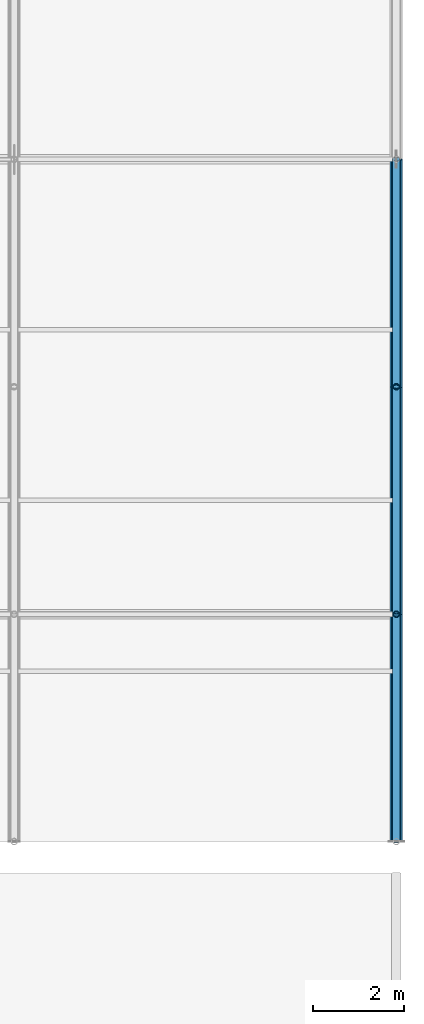
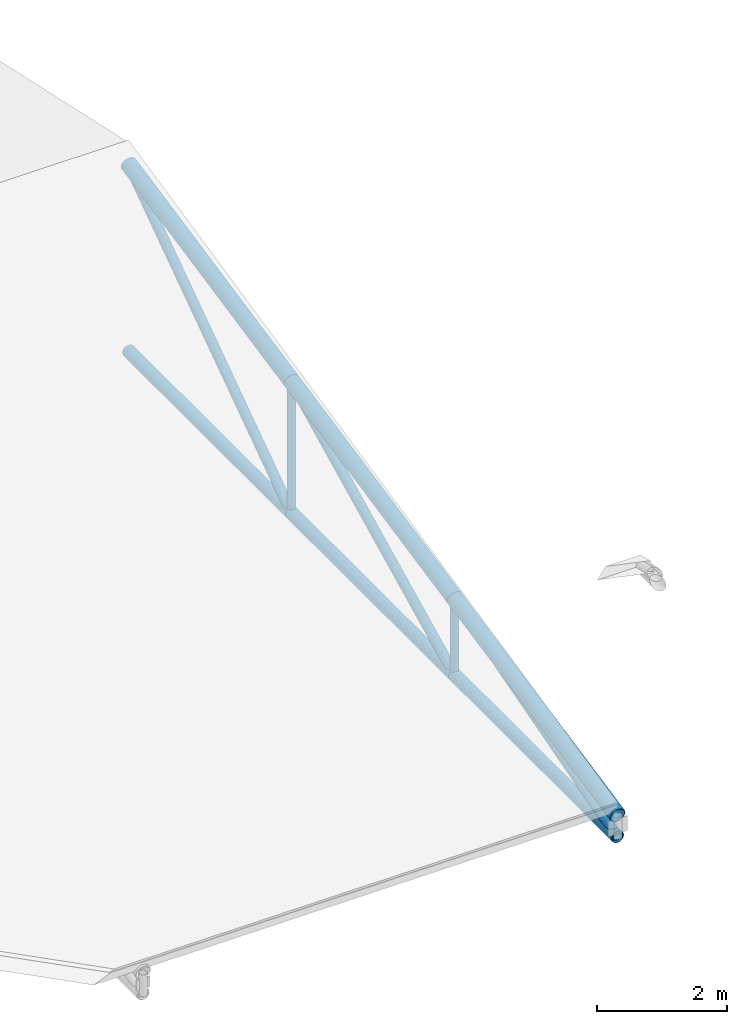
# One storey, part 113 of 194: 11 members.
"""IFC4 building model written with IfcOpenShell, lengths in metres."""

from ifc_helpers import new_model, si_unit, direction, frame, origin, origin_2d, place, context, subcontext, project, spatial, hollow_circle, extrude, material, material_profile, profile_set, type_object, element, save


model = new_model("IFC4")

# Units and contexts
model_context = context("Model", 3, precision=1e-05, world=origin(), true_north=direction((0.0, 1.0)))
body_context = subcontext(model_context, "Body", "Model", "MODEL_VIEW")
ifc_project = project(units=[si_unit("LENGTHUNIT", "METRE"), si_unit("AREAUNIT", "SQUARE_METRE"), si_unit("VOLUMEUNIT", "CUBIC_METRE"), si_unit("PLANEANGLEUNIT", "RADIAN"), si_unit("MASSUNIT", "GRAM", prefix="KILO")], contexts=[model_context])

# Site, building, storey
site_placement = place(None, origin())
site = spatial("IfcSite", under=ifc_project, at=site_placement, CompositionType="ELEMENT")
building_placement = place(site_placement, origin())
building = spatial("IfcBuilding", under=site, at=building_placement, Name="Kazenagashi Tramway Depot", CompositionType="ELEMENT")
storey_placement = place(building_placement, frame((0.0, 0.0, 23.7)))
storey = spatial("IfcBuildingStorey", under=building, at=storey_placement, Name="ROOF", CompositionType="ELEMENT", Elevation=23.7)

# Members
ifc_material = material(Name="Steel STK490", Category="steel")
ifc_material_profile_1 = material_profile(ifc_material, hollow_circle(Radius=0.1337, WallThickness=0.0093, at=origin_2d()), Name="CHS-267.4x9.3")
ifc_profile_set_1 = profile_set([ifc_material_profile_1], Name="Steel STK490")
member_type_1 = type_object("IfcMemberType", Name="TC-01", PredefinedType="CHORD", material=ifc_profile_set_1)
member_1_placement = place(storey_placement, frame((196.0, 70.0, -13.7), z_axis=(0.0, 0.979317999984, 0.202327098797), x_axis=(-1.0, 0.0, 0.0)))
element("IfcMember", 1, at=member_1_placement, inside=storey, type_object=member_type_1, Name="Tubular Space Frame TC-01 MEM-1099", PredefinedType="CHORD", context=body_context, shape_type="SweptSolid", body=[
    extrude(hollow_circle(Radius=0.1337, WallThickness=0.0093, at=origin_2d()), origin(), (0.0, 0.0, 1.0), 5.105594),
])
member_2_placement = place(storey_placement, frame((196.0, 75.0, -12.667), z_axis=(0.0, 0.979279174591, 0.202514933305), x_axis=(-1.0, 0.0, 0.0)))
element("IfcMember", 2, at=member_2_placement, inside=storey, type_object=member_type_1, Name="Tubular Space Frame TC-01 MEM-1102", PredefinedType="CHORD", context=body_context, shape_type="SweptSolid", body=[
    extrude(hollow_circle(Radius=0.1337, WallThickness=0.0093, at=origin_2d()), origin(), (0.0, 0.0, 1.0), 5.105796),
])
member_3_placement = place(storey_placement, frame((196.0, 80.0, -11.633), z_axis=(0.0, 0.979317999984, 0.202327098797), x_axis=(-1.0, 0.0, 0.0)))
element("IfcMember", 3, at=member_3_placement, inside=storey, type_object=member_type_1, Name="Tubular Space Frame TC-01 MEM-1105", PredefinedType="CHORD", context=body_context, shape_type="SweptSolid", body=[
    extrude(hollow_circle(Radius=0.1337, WallThickness=0.0093, at=origin_2d()), origin(), (0.0, 0.0, 1.0), 5.105594),
])
ifc_material_profile_2 = material_profile(ifc_material, hollow_circle(Radius=0.10815, WallThickness=0.0082, at=origin_2d()), Name="CHS-216.3x8.2")
ifc_profile_set_2 = profile_set([ifc_material_profile_2], Name="Steel STK490")
member_type_2 = type_object("IfcMemberType", Name="TC-02", PredefinedType="CHORD", material=ifc_profile_set_2)
for number, where, z_axis, x_axis, name in (
    (4, (196.0, 70.0, -14.1), (0.0, 1.0, 0.0), (-1.0, 0.0, 0.0), "Tubular Space Frame TC-02 MEM-1100"),
    (5, (196.0, 75.0, -14.1), (0.0, 1.0, 0.0), (-1.0, 0.0, 0.0), "Tubular Space Frame TC-02 MEM-1103"),
    (6, (196.0, 80.0, -14.1), (0.0, 1.0, 0.0), (-1.0, 0.0, 0.0), "Tubular Space Frame TC-02 MEM-1106"),
):
    element("IfcMember", number, at=place(storey_placement, frame(where, z_axis=z_axis, x_axis=x_axis)), inside=storey, type_object=member_type_2, Name=name, PredefinedType="CHORD", context=body_context, shape_type="SweptSolid", body=[
        extrude(hollow_circle(Radius=0.10815, WallThickness=0.0082, at=origin_2d()), origin(), (0.0, 0.0, 1.0), 5.0),
    ])
ifc_material_profile_3 = material_profile(ifc_material, hollow_circle(Radius=0.0826, WallThickness=0.0071, at=origin_2d()), Name="CHS-165.2x7.1")
ifc_profile_set_3 = profile_set([ifc_material_profile_3], Name="Steel STK490")
member_type_3 = type_object("IfcMemberType", Name="TS-01", PredefinedType="STRUT", material=ifc_profile_set_3)
member_4_placement = place(storey_placement, frame((196.0, 70.0, -14.1), z_axis=(0.0, 0.961298717795, 0.27550821252), x_axis=(-1.0, 0.0, 0.0)))
element("IfcMember", 7, at=member_4_placement, inside=storey, type_object=member_type_3, Name="Tubular Space Frame TS-01 MEM-1101", PredefinedType="STRUT", context=body_context, shape_type="SweptSolid", body=[
    extrude(hollow_circle(Radius=0.0826, WallThickness=0.0071, at=origin_2d()), origin(), (0.0, 0.0, 1.0), 5.201297),
])
member_5_placement = place(storey_placement, frame((196.0, 75.0, -14.1), z_axis=(0.0, 0.896782162482, 0.442472318969), x_axis=(-1.0, 0.0, 0.0)))
element("IfcMember", 8, at=member_5_placement, inside=storey, type_object=member_type_3, Name="Tubular Space Frame TS-01 MEM-1104", PredefinedType="STRUT", context=body_context, shape_type="SweptSolid", body=[
    extrude(hollow_circle(Radius=0.0826, WallThickness=0.0071, at=origin_2d()), origin(), (0.0, 0.0, 1.0), 5.57549),
])
member_6_placement = place(storey_placement, frame((196.0, 80.0, -14.1), z_axis=(0.0, 0.819231920519, 0.573462344363), x_axis=(-1.0, 0.0, 0.0)))
element("IfcMember", 9, at=member_6_placement, inside=storey, type_object=member_type_3, Name="Tubular Space Frame TS-01 MEM-1107", PredefinedType="STRUT", context=body_context, shape_type="SweptSolid", body=[
    extrude(hollow_circle(Radius=0.0826, WallThickness=0.0071, at=origin_2d()), origin(), (0.0, 0.0, 1.0), 6.103278),
])
ifc_material_profile_4 = material_profile(ifc_material, hollow_circle(Radius=0.0699, WallThickness=0.0066, at=origin_2d()), Name="CHS-139.8x6.6")
ifc_profile_set_4 = profile_set([ifc_material_profile_4], Name="Steel STK490")
member_type_4 = type_object("IfcMemberType", Name="TS-02", PredefinedType="STRUT", material=ifc_profile_set_4)
member_7_placement = place(storey_placement, frame((196.0, 75.0, -14.1), z_axis=(0.0, 0.0, 1.0), x_axis=(1.0, 0.0, 0.0)))
element("IfcMember", 10, at=member_7_placement, inside=storey, type_object=member_type_4, Name="Tubular Space Frame TS-02 MEM-1118", PredefinedType="STRUT", context=body_context, shape_type="SweptSolid", body=[
    extrude(hollow_circle(Radius=0.0699, WallThickness=0.0066, at=origin_2d()), origin(), (0.0, 0.0, 1.0), 1.433),
])
member_8_placement = place(storey_placement, frame((196.0, 80.0, -14.1), z_axis=(0.0, 0.0, 1.0), x_axis=(1.0, 0.0, 0.0)))
element("IfcMember", 11, at=member_8_placement, inside=storey, type_object=member_type_4, Name="Tubular Space Frame TS-02 MEM-1119", PredefinedType="STRUT", context=body_context, shape_type="SweptSolid", body=[
    extrude(hollow_circle(Radius=0.0699, WallThickness=0.0066, at=origin_2d()), origin(), (0.0, 0.0, 1.0), 2.467),
])

save(model, "model.ifc")
